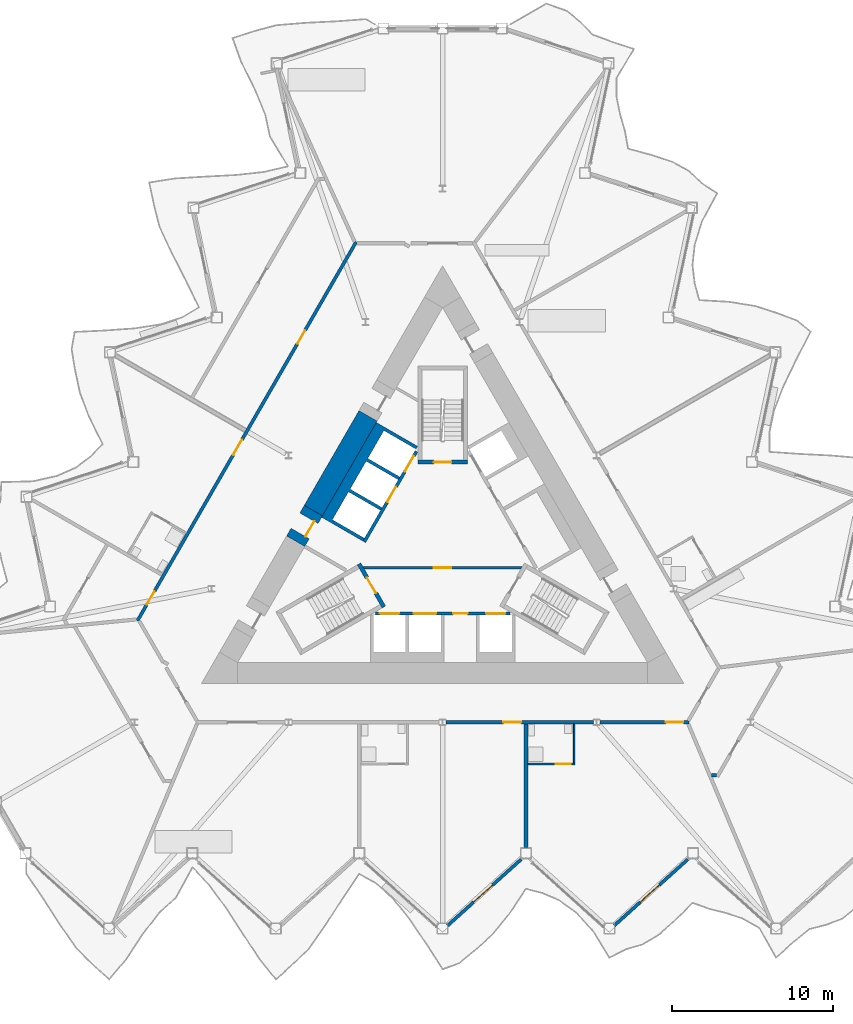
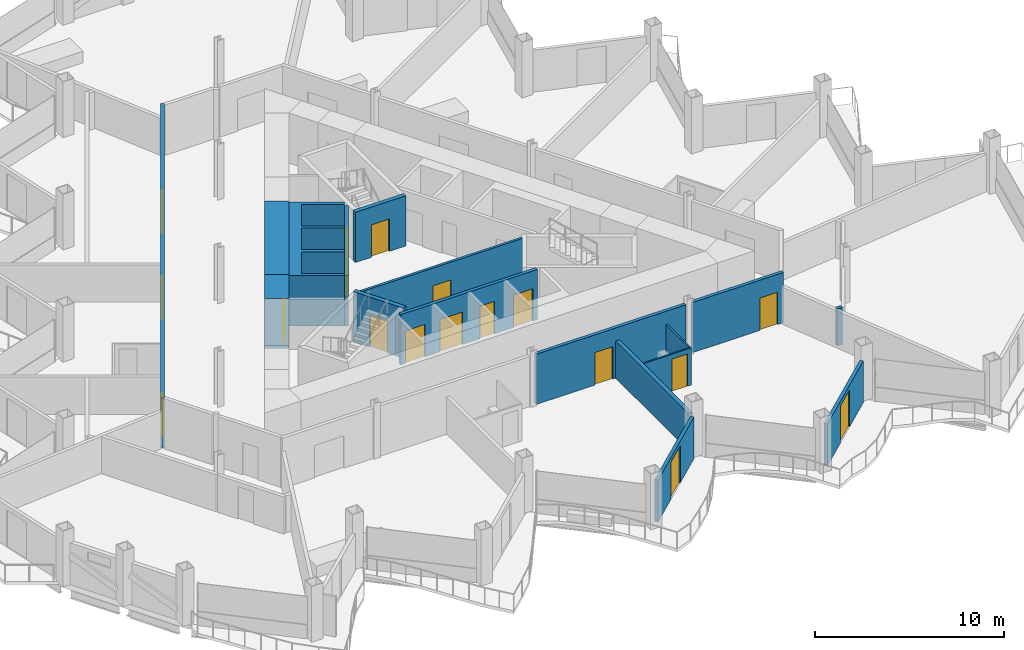
# One storey, part 12 of 23: 18 doors, 17 walls, 18 openings.
"""IFC4 building model written with IfcOpenShell, lengths in metres."""

from ifc_helpers import new_model, si_unit, direction, frame, frame_2d, origin, place, context, subcontext, project, spatial, polyline, rectangle, outline, extrude, material, layer, layer_set, type_object, element, fill, save


model = new_model("IFC4")

# Units and contexts
model_context = context("Model", 3, precision=1e-05, world=origin(), true_north=direction((0.0, 1.0)))
body_context = subcontext(model_context, "Body", "Model", "MODEL_VIEW")
ifc_project = project(units=[si_unit("LENGTHUNIT", "METRE"), si_unit("AREAUNIT", "SQUARE_METRE"), si_unit("VOLUMEUNIT", "CUBIC_METRE"), si_unit("PLANEANGLEUNIT", "RADIAN"), si_unit("MASSUNIT", "GRAM", prefix="KILO")], contexts=[model_context])

# Site, building, storey
site_placement = place(None, origin())
site = spatial("IfcSite", under=ifc_project, at=site_placement, CompositionType="ELEMENT")
building_placement = place(site_placement, origin())
building = spatial("IfcBuilding", under=site, at=building_placement, Name="Cormorant Prow Tower", CompositionType="ELEMENT")
storey_placement = place(building_placement, frame((0.0, 0.0, 267.0)))
storey = spatial("IfcBuildingStorey", under=building, at=storey_placement, Name="L60", CompositionType="ELEMENT", Elevation=267.0)

# Wall, opening, door
ifc_material_1 = material(Name="Gypsum board partition")
ifc_layer_1 = layer(ifc_material_1, 0.14990234375)
ifc_layer_set_1 = layer_set([ifc_layer_1], Name="Gypsum board partition")
wall_type_1 = type_object("IfcWallType", Name="Core partition 150", PredefinedType="PARTITIONING", material=ifc_layer_set_1)
wall_1_placement = place(storey_placement, frame((-4.941162109375, -1.449951171875, 0.0), z_axis=(0.0, 0.0, 1.0), x_axis=(1.0, 0.0, 0.0)))
wall_1 = element("IfcWall", 1, at=wall_1_placement, inside=storey, type_object=wall_type_1, Name="Firefighting lobby partition", PredefinedType="PARTITIONING", context=body_context, shape_type="SweptSolid", body=[
    extrude(rectangle(XDim=9.88232421875, YDim=0.14990234375, at=frame_2d((4.941162109375, 0.0))), origin(), (0.0, 0.0, 1.0), 3.25),
])
opening_1_placement = place(wall_1_placement, frame((4.39111328125, 0.0, 0.0)))
opening_1 = element("IfcOpeningElement", 2, at=opening_1_placement, cuts=wall_1, Name="Opening L60-C10", PredefinedType="OPENING", context=body_context, shape_type="SweptSolid", body=[
    extrude(rectangle(XDim=1.10009765625, YDim=2.10009765625, at=frame_2d((0.550048828125, 1.050048828125))), frame((0.0, 0.0849609375, 0.0), z_axis=(0.0, -1.0, 0.0), x_axis=(1.0, 0.0, 0.0)), (0.0, 0.0, 1.0), 0.169921875),
])
ifc_material_2 = material(Name="Painted steel", Category="steel")
door_type_1 = type_object("IfcDoorType", Name="Firefighting lobby door 1100x2100", OperationType="NOTDEFINED", PredefinedType="DOOR", material=ifc_material_2)
door_1_placement = place(opening_1_placement, origin())
door_1 = element("IfcDoor", 3, at=door_1_placement, inside=storey, type_object=door_type_1, Name="Firefighting lobby door", OperationType="SINGLE_SWING_LEFT", OverallHeight=2.10009765625, OverallWidth=1.10009765625, PredefinedType="DOOR", context=body_context, shape_type="SweptSolid", body=[
    extrude(rectangle(XDim=1.10009765625, YDim=2.10009765625, at=frame_2d((0.550048828125, 1.050048828125))), frame((0.0, 0.02490234375, 0.0), z_axis=(0.0, -1.0, 0.0), x_axis=(1.0, 0.0, 0.0)), (0.0, 0.0, 1.0), 0.050048828125),
])
fill(opening_1, door_1)

# Wall
ifc_material_3 = material(Name="Concrete 8000 psi", Category="concrete")
ifc_layer_2 = layer(ifc_material_3, 1.300048828125)
ifc_layer_set_2 = layer_set([ifc_layer_2], Name="Concrete 8000 psi")
wall_type_2 = type_object("IfcWallType", Name="Core shear wall 1300", PredefinedType="SHEAR", material=ifc_layer_set_2)
wall_2_placement = place(storey_placement, frame((-4.63623046875, 7.989990234375, 0.0), z_axis=(0.0, 0.0, 1.0), x_axis=(-0.500022813292, -0.866012232124, 0.0)))
element("IfcWall", 4, at=wall_2_placement, inside=storey, type_object=wall_type_2, Name="Core wall", PredefinedType="SHEAR", context=body_context, shape_type="SweptSolid", body=[
    extrude(rectangle(XDim=6.801513671875, YDim=1.300048828125, at=frame_2d((3.40087890625, 0.0))), origin(), (0.0, 0.0, 1.0), 3.25),
])

# Wall, opening, door
wall_3_placement = place(storey_placement, frame((-8.037109375, 2.099853515625, 0.0), z_axis=(0.0, 0.0, 1.0), x_axis=(-0.50002983664, -0.866008176907, 0.0)))
wall_3 = element("IfcWall", 5, at=wall_3_placement, inside=storey, type_object=wall_type_2, Name="Core wall door panel", PredefinedType="SHEAR", context=body_context, shape_type="SweptSolid", body=[
    extrude(rectangle(XDim=2.199951171875, YDim=1.300048828125, at=frame_2d((1.10009765625, 0.0))), origin(), (0.0, 0.0, 1.0), 3.25),
])
opening_2_placement = place(wall_3_placement, frame((0.550048828125, 0.0, 0.0)))
opening_2 = element("IfcOpeningElement", 6, at=opening_2_placement, cuts=wall_3, Name="Opening L60-C18", PredefinedType="OPENING", context=body_context, shape_type="SweptSolid", body=[
    extrude(rectangle(XDim=1.10009765625, YDim=2.10009765625, at=frame_2d((0.550048828125, 1.050048828125))), frame((0.0, 0.659912109375, 0.0), z_axis=(0.0, -1.0, 0.0), x_axis=(1.0, 0.0, 0.0)), (0.0, 0.0, 1.0), 1.320068359375),
])
ifc_material_4 = material(Name="Painted steel", Category="steel")
door_type_2 = type_object("IfcDoorType", Name="Core door 1100x2100", OperationType="NOTDEFINED", PredefinedType="DOOR", material=ifc_material_4)
door_2_placement = place(opening_2_placement, origin())
door_2 = element("IfcDoor", 7, at=door_2_placement, inside=storey, type_object=door_type_2, Name="Core door, lift lobby", OperationType="SINGLE_SWING_RIGHT", OverallHeight=2.10009765625, OverallWidth=1.10009765625, PredefinedType="DOOR", context=body_context, shape_type="SweptSolid", body=[
    extrude(rectangle(XDim=1.10009765625, YDim=2.10009765625, at=frame_2d((0.550048828125, 1.050048828125))), frame((0.0, 0.40478515625, 0.0), z_axis=(0.0, -1.0, 0.0), x_axis=(1.0, 0.0, 0.0)), (0.0, 0.0, 1.0), 0.050048828125),
])
fill(opening_2, door_2)

# Wall, openings, doors
ifc_material_5 = material(Name="Gypsum board corridor wall")
ifc_layer_3 = layer(ifc_material_5, 0.199951171875)
ifc_layer_set_3 = layer_set([ifc_layer_3], Name="Gypsum board corridor wall")
wall_type_3 = type_object("IfcWallType", Name="Corridor wall 200", PredefinedType="PARTITIONING", material=ifc_layer_set_3)
wall_4_placement = place(storey_placement, frame((-18.97607421875, -4.746826171875, 0.0), z_axis=(0.0, 0.0, 1.0), x_axis=(0.499999852422, 0.866025488988, 0.0)))
wall_4 = element("IfcWall", 8, at=wall_4_placement, inside=storey, type_object=wall_type_3, Name="Corridor wall", PredefinedType="PARTITIONING", context=body_context, shape_type="SweptSolid", body=[
    extrude(rectangle(XDim=27.19775390625, YDim=0.199951171875, at=frame_2d((13.598876953125, 0.0))), origin(), (0.0, 0.0, 1.0), 3.25),
])
opening_3_placement = place(wall_4_placement, frame((19.886474609375, 0.0, 0.0)))
opening_3 = element("IfcOpeningElement", 9, at=opening_3_placement, cuts=wall_4, Name="Opening L60-F14", PredefinedType="OPENING", context=body_context, shape_type="SweptSolid", body=[
    extrude(rectangle(XDim=0.949951171875, YDim=2.10009765625, at=frame_2d((0.47509765625, 1.050048828125))), frame((0.0, 0.10986328125, 0.0), z_axis=(0.0, -1.0, 0.0), x_axis=(1.0, 0.0, 0.0)), (0.0, 0.0, 1.0), 0.219970703125),
])
opening_4_placement = place(wall_4_placement, frame((11.89453125, 0.0, 0.0)))
opening_4 = element("IfcOpeningElement", 10, at=opening_4_placement, cuts=wall_4, Name="Opening L60-F16", PredefinedType="OPENING", context=body_context, shape_type="SweptSolid", body=[
    extrude(rectangle(XDim=1.10009765625, YDim=2.10009765625, at=frame_2d((0.550048828125, 1.050048828125))), frame((0.0, 0.10986328125, 0.0), z_axis=(0.0, -1.0, 0.0), x_axis=(1.0, 0.0, 0.0)), (0.0, 0.0, 1.0), 0.219970703125),
])
opening_5_placement = place(wall_4_placement, frame((1.151611328125, 0.0, 0.0)))
opening_5 = element("IfcOpeningElement", 11, at=opening_5_placement, cuts=wall_4, Name="Opening L60-F18", PredefinedType="OPENING", context=body_context, shape_type="SweptSolid", body=[
    extrude(rectangle(XDim=0.949951171875, YDim=2.10009765625, at=frame_2d((0.47509765625, 1.050048828125))), frame((0.0, 0.10986328125, 0.0), z_axis=(0.0, -1.0, 0.0), x_axis=(1.0, 0.0, 0.0)), (0.0, 0.0, 1.0), 0.219970703125),
])
ifc_material_6 = material(Name="Timber door leaf", Category="wood")
door_type_3 = type_object("IfcDoorType", Name="Store door 950x2100", OperationType="NOTDEFINED", PredefinedType="DOOR", material=ifc_material_6)
door_3_placement = place(opening_3_placement, origin())
door_3 = element("IfcDoor", 12, at=door_3_placement, inside=storey, type_object=door_type_3, Name="Housekeeping room door", OperationType="SINGLE_SWING_LEFT", OverallHeight=2.10009765625, OverallWidth=0.949951171875, PredefinedType="DOOR", context=body_context, shape_type="SweptSolid", body=[
    extrude(rectangle(XDim=0.949951171875, YDim=2.10009765625, at=frame_2d((0.47509765625, 1.050048828125))), frame((0.0, 0.02490234375, 0.0), z_axis=(0.0, -1.0, 0.0), x_axis=(1.0, 0.0, 0.0)), (0.0, 0.0, 1.0), 0.050048828125),
])
fill(opening_3, door_3)
door_4_placement = place(opening_5_placement, origin())
door_4 = element("IfcDoor", 13, at=door_4_placement, inside=storey, type_object=door_type_3, Name="Housekeeping room door", OperationType="SINGLE_SWING_RIGHT", OverallHeight=2.10009765625, OverallWidth=0.949951171875, PredefinedType="DOOR", context=body_context, shape_type="SweptSolid", body=[
    extrude(rectangle(XDim=0.949951171875, YDim=2.10009765625, at=frame_2d((0.47509765625, 1.050048828125))), frame((0.0, 0.02490234375, 0.0), z_axis=(0.0, -1.0, 0.0), x_axis=(1.0, 0.0, 0.0)), (0.0, 0.0, 1.0), 0.050048828125),
])
fill(opening_5, door_4)
ifc_material_7 = material(Name="Timber door leaf", Category="wood")
door_type_4 = type_object("IfcDoorType", Name="Suite entrance door 1100x2100", OperationType="NOTDEFINED", PredefinedType="DOOR", material=ifc_material_7)
door_5_placement = place(opening_4_placement, origin())
door_5 = element("IfcDoor", 14, at=door_5_placement, inside=storey, type_object=door_type_4, Name="Junior suite door", OperationType="SINGLE_SWING_RIGHT", OverallHeight=2.10009765625, OverallWidth=1.10009765625, PredefinedType="DOOR", context=body_context, shape_type="SweptSolid", body=[
    extrude(rectangle(XDim=1.10009765625, YDim=2.10009765625, at=frame_2d((0.550048828125, 1.050048828125))), frame((0.0, 0.02490234375, 0.0), z_axis=(0.0, -1.0, 0.0), x_axis=(1.0, 0.0, 0.0)), (0.0, 0.0, 1.0), 0.050048828125),
])
fill(opening_4, door_5)

# Wall, opening, door
wall_5_placement = place(storey_placement, frame((0.20947265625, -11.060302734375, 0.0), z_axis=(0.0, 0.0, 1.0), x_axis=(1.0, 0.0, 0.0)))
wall_5 = element("IfcWall", 15, at=wall_5_placement, inside=storey, type_object=wall_type_3, Name="Corridor wall", PredefinedType="PARTITIONING", context=body_context, shape_type="SweptSolid", body=[
    extrude(rectangle(XDim=9.159423828125, YDim=0.199951171875, at=frame_2d((4.57958984375, 0.0))), origin(), (0.0, 0.0, 1.0), 3.25),
])
opening_6_placement = place(wall_5_placement, frame((3.576171875, 0.0, 0.0)))
opening_6 = element("IfcOpeningElement", 16, at=opening_6_placement, cuts=wall_5, Name="Opening L60-F02", PredefinedType="OPENING", context=body_context, shape_type="SweptSolid", body=[
    extrude(rectangle(XDim=1.10009765625, YDim=2.10009765625, at=frame_2d((0.550048828125, 1.050048828125))), frame((0.0, 0.10986328125, 0.0), z_axis=(0.0, -1.0, 0.0), x_axis=(1.0, 0.0, 0.0)), (0.0, 0.0, 1.0), 0.219970703125),
])
door_6_placement = place(opening_6_placement, origin())
door_6 = element("IfcDoor", 17, at=door_6_placement, inside=storey, type_object=door_type_4, Name="Junior suite door", OperationType="SINGLE_SWING_RIGHT", OverallHeight=2.10009765625, OverallWidth=1.10009765625, PredefinedType="DOOR", context=body_context, shape_type="SweptSolid", body=[
    extrude(rectangle(XDim=1.10009765625, YDim=2.10009765625, at=frame_2d((0.550048828125, 1.050048828125))), frame((0.0, 0.02490234375, 0.0), z_axis=(0.0, -1.0, 0.0), x_axis=(1.0, 0.0, 0.0)), (0.0, 0.0, 1.0), 0.050048828125),
])
fill(opening_6, door_6)

wall_6_placement = place(storey_placement, frame((9.7880859375, -11.060302734375, 0.0), z_axis=(0.0, 0.0, 1.0), x_axis=(1.0, 0.0, 0.0)))
wall_6 = element("IfcWall", 18, at=wall_6_placement, inside=storey, type_object=wall_type_3, Name="Corridor wall", PredefinedType="PARTITIONING", context=body_context, shape_type="SweptSolid", body=[
    extrude(rectangle(XDim=5.542724609375, YDim=0.199951171875, at=frame_2d((2.771484375, 0.0))), origin(), (0.0, 0.0, 1.0), 3.25),
])
opening_7_placement = place(wall_6_placement, frame((4.091796875, 0.0, 0.0)))
opening_7 = element("IfcOpeningElement", 19, at=opening_7_placement, cuts=wall_6, Name="Opening L60-F04", PredefinedType="OPENING", context=body_context, shape_type="SweptSolid", body=[
    extrude(rectangle(XDim=1.10009765625, YDim=2.10009765625, at=frame_2d((0.550048828125, 1.050048828125))), frame((0.0, 0.10986328125, 0.0), z_axis=(0.0, -1.0, 0.0), x_axis=(1.0, 0.0, 0.0)), (0.0, 0.0, 1.0), 0.219970703125),
])
door_7_placement = place(opening_7_placement, origin())
door_7 = element("IfcDoor", 20, at=door_7_placement, inside=storey, type_object=door_type_4, Name="Executive suite bedroom door", OperationType="SINGLE_SWING_RIGHT", OverallHeight=2.10009765625, OverallWidth=1.10009765625, PredefinedType="DOOR", context=body_context, shape_type="SweptSolid", body=[
    extrude(rectangle(XDim=1.10009765625, YDim=2.10009765625, at=frame_2d((0.550048828125, 1.050048828125))), frame((0.0, 0.02490234375, 0.0), z_axis=(0.0, -1.0, 0.0), x_axis=(1.0, 0.0, 0.0)), (0.0, 0.0, 1.0), 0.050048828125),
])
fill(opening_7, door_7)

# Wall
ifc_material_8 = material(Name="Gypsum board demising wall")
ifc_layer_4 = layer(ifc_material_8, 0.199951171875)
ifc_layer_set_4 = layer_set([ifc_layer_4], Name="Gypsum board demising wall")
wall_type_4 = type_object("IfcWallType", Name="Demising wall 200", PredefinedType="PARTITIONING", material=ifc_layer_set_4)
wall_7_placement = place(storey_placement, frame((16.715087890625, -14.3603515625, 0.0), z_axis=(0.0, 0.0, 1.0), x_axis=(1.0, 0.0, 0.0)))
element("IfcWall", 21, at=wall_7_placement, inside=storey, type_object=wall_type_4, Name="Demising wall", PredefinedType="PARTITIONING", context=body_context, shape_type="SweptSolid", body=[
    extrude(rectangle(XDim=0.321044921875, YDim=0.199951171875, at=frame_2d((0.16064453125, 0.0))), origin(), (0.0, 0.0, 1.0), 2.404296875),
])

# Wall, opening, door
ifc_material_9 = material(Name="Gypsum board partition")
ifc_layer_5 = layer(ifc_material_9, 0.10009765625)
ifc_layer_set_5 = layer_set([ifc_layer_5], Name="Gypsum board partition")
wall_type_5 = type_object("IfcWallType", Name="Internal partition 100", PredefinedType="PARTITIONING", material=ifc_layer_set_5)
wall_8_placement = place(storey_placement, frame((5.3076171875, -13.660400390625, 0.0), z_axis=(0.0, 0.0, 1.0), x_axis=(1.0, 0.0, 0.0)))
wall_8 = element("IfcWall", 22, at=wall_8_placement, inside=storey, type_object=wall_type_5, Name="Internal partition", PredefinedType="PARTITIONING", context=body_context, shape_type="SweptSolid", body=[
    extrude(rectangle(XDim=2.925048828125, YDim=0.10009765625, at=frame_2d((1.46240234375, 0.0))), origin(), (0.0, 0.0, 1.0), 2.404296875),
])
opening_8_placement = place(wall_8_placement, frame((1.72509765625, 0.0, 0.0)))
opening_8 = element("IfcOpeningElement", 23, at=opening_8_placement, cuts=wall_8, Name="Opening L60-F05", PredefinedType="OPENING", context=body_context, shape_type="SweptSolid", body=[
    extrude(rectangle(XDim=0.949951171875, YDim=2.10009765625, at=frame_2d((0.47509765625, 1.050048828125))), frame((0.0, 0.06005859375, 0.0), z_axis=(0.0, -1.0, 0.0), x_axis=(1.0, 0.0, 0.0)), (0.0, 0.0, 1.0), 0.1201171875),
])
ifc_material_10 = material(Name="Timber door leaf", Category="wood")
door_type_5 = type_object("IfcDoorType", Name="Bathroom door 950x2100", OperationType="NOTDEFINED", PredefinedType="DOOR", material=ifc_material_10)
door_8_placement = place(opening_8_placement, origin())
door_8 = element("IfcDoor", 24, at=door_8_placement, inside=storey, type_object=door_type_5, Name="Executive suite bedroom door", OperationType="SINGLE_SWING_RIGHT", OverallHeight=2.10009765625, OverallWidth=0.949951171875, PredefinedType="DOOR", context=body_context, shape_type="SweptSolid", body=[
    extrude(rectangle(XDim=0.949951171875, YDim=2.10009765625, at=frame_2d((0.47509765625, 1.050048828125))), frame((0.0, 0.02490234375, 0.0), z_axis=(0.0, -1.0, 0.0), x_axis=(1.0, 0.0, 0.0)), (0.0, 0.0, 1.0), 0.050048828125),
])
fill(opening_8, door_8)

# Wall
wall_9_placement = place(storey_placement, frame((8.1826171875, -13.6103515625, 0.0), z_axis=(0.0, 0.0, 1.0), x_axis=(0.0, 1.0, 0.0)))
element("IfcWall", 25, at=wall_9_placement, inside=storey, type_object=wall_type_5, Name="Internal partition", PredefinedType="PARTITIONING", context=body_context, shape_type="SweptSolid", body=[
    extrude(rectangle(XDim=2.449951171875, YDim=0.10009765625, at=frame_2d((1.22509765625, 0.0))), origin(), (0.0, 0.0, 1.0), 2.404296875),
])

# Wall, openings, doors
ifc_material_11 = material(Name="Concrete 5000 psi", Category="concrete")
ifc_layer_6 = layer(ifc_material_11, 0.199951171875)
ifc_layer_set_6 = layer_set([ifc_layer_6], Name="Concrete 5000 psi")
wall_type_6 = type_object("IfcWallType", Name="Lift lobby wall 200", PredefinedType="SOLIDWALL", material=ifc_layer_set_6)
wall_10_placement = place(storey_placement, frame((-4.1865234375, -4.300048828125, 0.0), z_axis=(0.0, 0.0, 1.0), x_axis=(1.0, 0.0, 0.0)))
wall_10 = element("IfcWall", 26, at=wall_10_placement, inside=storey, type_object=wall_type_6, Name="Lift lobby wall, S block", PredefinedType="SOLIDWALL", context=body_context, shape_type="SweptSolid", body=[
    extrude(rectangle(XDim=8.373046875, YDim=0.199951171875, at=frame_2d((4.1865234375, 0.0))), origin(), (0.0, 0.0, 1.0), 3.25),
])
opening_9_placement = place(wall_10_placement, frame((0.28662109375, 0.0, 0.0)))
opening_9 = element("IfcOpeningElement", 27, at=opening_9_placement, cuts=wall_10, Name="Opening L60-C01", PredefinedType="OPENING", context=body_context, shape_type="SweptSolid", body=[
    extrude(rectangle(XDim=1.199951171875, YDim=2.10009765625, at=frame_2d((0.60009765625, 1.050048828125))), frame((0.0, 0.10986328125, 0.0), z_axis=(0.0, -1.0, 0.0), x_axis=(1.0, 0.0, 0.0)), (0.0, 0.0, 1.0), 0.219970703125),
])
opening_10_placement = place(wall_10_placement, frame((2.38671875, 0.0, 0.0)))
opening_10 = element("IfcOpeningElement", 28, at=opening_10_placement, cuts=wall_10, Name="Opening L60-C02", PredefinedType="OPENING", context=body_context, shape_type="SweptSolid", body=[
    extrude(rectangle(XDim=1.39990234375, YDim=2.10009765625, at=frame_2d((0.699951171875, 1.050048828125))), frame((0.0, 0.10986328125, 0.0), z_axis=(0.0, -1.0, 0.0), x_axis=(1.0, 0.0, 0.0)), (0.0, 0.0, 1.0), 0.219970703125),
])
opening_11_placement = place(wall_10_placement, frame((4.836669921875, 0.0, 0.0)))
opening_11 = element("IfcOpeningElement", 29, at=opening_11_placement, cuts=wall_10, Name="Opening L60-C03", PredefinedType="OPENING", context=body_context, shape_type="SweptSolid", body=[
    extrude(rectangle(XDim=0.89990234375, YDim=2.10009765625, at=frame_2d((0.449951171875, 1.050048828125))), frame((0.0, 0.10986328125, 0.0), z_axis=(0.0, -1.0, 0.0), x_axis=(1.0, 0.0, 0.0)), (0.0, 0.0, 1.0), 0.219970703125),
])
opening_12_placement = place(wall_10_placement, frame((6.88671875, 0.0, 0.0)))
opening_12 = element("IfcOpeningElement", 30, at=opening_12_placement, cuts=wall_10, Name="Opening L60-C04", PredefinedType="OPENING", context=body_context, shape_type="SweptSolid", body=[
    extrude(rectangle(XDim=1.199951171875, YDim=2.10009765625, at=frame_2d((0.60009765625, 1.050048828125))), frame((0.0, 0.10986328125, 0.0), z_axis=(0.0, -1.0, 0.0), x_axis=(1.0, 0.0, 0.0)), (0.0, 0.0, 1.0), 0.219970703125),
])
ifc_material_12 = material(Name="Painted steel", Category="steel")
door_type_6 = type_object("IfcDoorType", Name="Firefighting lift landing door 1200x2100", OperationType="SLIDING_TO_LEFT", PredefinedType="DOOR", material=ifc_material_12)
door_9_placement = place(opening_9_placement, origin())
door_9 = element("IfcDoor", 31, at=door_9_placement, inside=storey, type_object=door_type_6, Name="Landing door FL1", OperationType="SLIDING_TO_LEFT", OverallHeight=2.10009765625, OverallWidth=1.199951171875, PredefinedType="DOOR", context=body_context, shape_type="SweptSolid", body=[
    extrude(rectangle(XDim=1.199951171875, YDim=2.10009765625, at=frame_2d((0.60009765625, 1.050048828125))), frame((0.0, 0.02490234375, 0.0), z_axis=(0.0, -1.0, 0.0), x_axis=(1.0, 0.0, 0.0)), (0.0, 0.0, 1.0), 0.050048828125),
])
fill(opening_9, door_9)
door_10_placement = place(opening_12_placement, origin())
door_10 = element("IfcDoor", 32, at=door_10_placement, inside=storey, type_object=door_type_6, Name="Landing door FL2", OperationType="SLIDING_TO_LEFT", OverallHeight=2.10009765625, OverallWidth=1.199951171875, PredefinedType="DOOR", context=body_context, shape_type="SweptSolid", body=[
    extrude(rectangle(XDim=1.199951171875, YDim=2.10009765625, at=frame_2d((0.60009765625, 1.050048828125))), frame((0.0, 0.02490234375, 0.0), z_axis=(0.0, -1.0, 0.0), x_axis=(1.0, 0.0, 0.0)), (0.0, 0.0, 1.0), 0.050048828125),
])
fill(opening_12, door_10)
ifc_material_13 = material(Name="Painted steel", Category="steel")
door_type_7 = type_object("IfcDoorType", Name="Service door 900x2100", OperationType="NOTDEFINED", PredefinedType="DOOR", material=ifc_material_13)
door_11_placement = place(opening_11_placement, origin())
door_11 = element("IfcDoor", 33, at=door_11_placement, inside=storey, type_object=door_type_7, Name="Service door, Pantry store", OperationType="SINGLE_SWING_RIGHT", OverallHeight=2.10009765625, OverallWidth=0.89990234375, PredefinedType="DOOR", context=body_context, shape_type="SweptSolid", body=[
    extrude(rectangle(XDim=0.89990234375, YDim=2.10009765625, at=frame_2d((0.449951171875, 1.050048828125))), frame((0.0, 0.02490234375, 0.0), z_axis=(0.0, -1.0, 0.0), x_axis=(1.0, 0.0, 0.0)), (0.0, 0.0, 1.0), 0.050048828125),
])
fill(opening_11, door_11)
ifc_material_14 = material(Name="Painted steel", Category="steel")
door_type_8 = type_object("IfcDoorType", Name="Service lift landing door 1400x2100", OperationType="SLIDING_TO_LEFT", PredefinedType="DOOR", material=ifc_material_14)
door_12_placement = place(opening_10_placement, origin())
door_12 = element("IfcDoor", 34, at=door_12_placement, inside=storey, type_object=door_type_8, Name="Landing door SL1", OperationType="SLIDING_TO_LEFT", OverallHeight=2.10009765625, OverallWidth=1.39990234375, PredefinedType="DOOR", context=body_context, shape_type="SweptSolid", body=[
    extrude(rectangle(XDim=1.39990234375, YDim=2.10009765625, at=frame_2d((0.699951171875, 1.050048828125))), frame((0.0, 0.02490234375, 0.0), z_axis=(0.0, -1.0, 0.0), x_axis=(1.0, 0.0, 0.0)), (0.0, 0.0, 1.0), 0.050048828125),
])
fill(opening_10, door_12)

wall_11_placement = place(storey_placement, frame((-1.630615234375, 5.775634765625, 0.0), z_axis=(0.0, 0.0, 1.0), x_axis=(-0.499992876559, -0.866029516466, 0.0)))
wall_11 = element("IfcWall", 35, at=wall_11_placement, inside=storey, type_object=wall_type_6, Name="Lift lobby wall, WNW block", PredefinedType="SOLIDWALL", context=body_context, shape_type="SweptSolid", body=[
    extrude(rectangle(XDim=6.486328125, YDim=0.199951171875, at=frame_2d((3.2431640625, 0.0))), origin(), (0.0, 0.0, 1.0), 3.25),
])
opening_13_placement = place(wall_11_placement, frame((0.336669921875, 0.0, 0.0)))
opening_13 = element("IfcOpeningElement", 36, at=opening_13_placement, cuts=wall_11, Name="Opening L60-C08", PredefinedType="OPENING", context=body_context, shape_type="SweptSolid", body=[
    extrude(rectangle(XDim=1.10009765625, YDim=2.10009765625, at=frame_2d((0.550048828125, 1.050048828125))), frame((0.0, 0.10986328125, 0.0), z_axis=(0.0, -1.0, 0.0), x_axis=(1.0, 0.0, 0.0)), (0.0, 0.0, 1.0), 0.219970703125),
])
opening_14_placement = place(wall_11_placement, frame((2.53662109375, 0.0, 0.0)))
opening_14 = element("IfcOpeningElement", 37, at=opening_14_placement, cuts=wall_11, Name="Opening L60-C09", PredefinedType="OPENING", context=body_context, shape_type="SweptSolid", body=[
    extrude(rectangle(XDim=1.10009765625, YDim=2.10009765625, at=frame_2d((0.550048828125, 1.050048828125))), frame((0.0, 0.10986328125, 0.0), z_axis=(0.0, -1.0, 0.0), x_axis=(1.0, 0.0, 0.0)), (0.0, 0.0, 1.0), 0.219970703125),
])
ifc_material_15 = material(Name="Painted steel", Category="steel")
door_type_9 = type_object("IfcDoorType", Name="Lift landing door 1100x2100", OperationType="SLIDING_TO_LEFT", PredefinedType="DOOR", material=ifc_material_15)
door_13_placement = place(opening_13_placement, origin())
door_13 = element("IfcDoor", 38, at=door_13_placement, inside=storey, type_object=door_type_9, Name="Landing door MR2", OperationType="SLIDING_TO_LEFT", OverallHeight=2.10009765625, OverallWidth=1.10009765625, PredefinedType="DOOR", context=body_context, shape_type="SweptSolid", body=[
    extrude(rectangle(XDim=1.10009765625, YDim=2.10009765625, at=frame_2d((0.550048828125, 1.050048828125))), frame((0.0, 0.02490234375, 0.0), z_axis=(0.0, -1.0, 0.0), x_axis=(1.0, 0.0, 0.0)), (0.0, 0.0, 1.0), 0.050048828125),
])
fill(opening_13, door_13)
door_14_placement = place(opening_14_placement, origin())
door_14 = element("IfcDoor", 39, at=door_14_placement, inside=storey, type_object=door_type_9, Name="Landing door MR3", OperationType="SLIDING_TO_LEFT", OverallHeight=2.10009765625, OverallWidth=1.10009765625, PredefinedType="DOOR", context=body_context, shape_type="SweptSolid", body=[
    extrude(rectangle(XDim=1.10009765625, YDim=2.10009765625, at=frame_2d((0.550048828125, 1.050048828125))), frame((0.0, 0.02490234375, 0.0), z_axis=(0.0, -1.0, 0.0), x_axis=(1.0, 0.0, 0.0)), (0.0, 0.0, 1.0), 0.050048828125),
])
fill(opening_14, door_14)

# Wall
ifc_material_16 = material(Name="Concrete 8000 psi", Category="concrete")
ifc_layer_7 = layer(ifc_material_16, 0.199951171875)
ifc_layer_set_7 = layer_set([ifc_layer_7], Name="Concrete 8000 psi")
wall_type_7 = type_object("IfcWallType", Name="Lift shaft wall 200", PredefinedType="SHEAR", material=ifc_layer_set_7)
wall_12_placement = place(storey_placement, origin())
element("IfcWall", 40, at=wall_12_placement, inside=storey, type_object=wall_type_7, Name="Lift shaft walls, WNW block", PredefinedType="SHEAR", context=body_context, shape_type="SweptSolid", body=[
    extrude(outline(polyline([(-7.524169921875, 1.688232421875), (-4.124267578125, 7.5771484375), (-3.730712890625, 7.35009765625), (-1.560546875, 6.09716796875), (-1.660400390625, 5.923828125), (-3.65234375, 7.073974609375), (-4.65234375, 5.341796875), (-2.660400390625, 4.19189453125), (-2.760498046875, 4.018798828125), (-4.75244140625, 5.168701171875), (-5.75244140625, 3.4365234375), (-3.760498046875, 2.28662109375), (-3.860595703125, 2.11328125), (-5.852294921875, 3.263427734375), (-6.852294921875, 1.53125), (-4.860595703125, 0.38134765625), (-4.96044921875, 0.2080078125), (-7.130859375, 1.461181640625), (-7.524169921875, 1.688232421875)])), origin(), (0.0, 0.0, 1.0), 3.25),
])

# Wall, opening, door
ifc_material_17 = material(Name="Concrete 8000 psi", Category="concrete")
ifc_layer_8 = layer(ifc_material_17, 0.25)
ifc_layer_set_8 = layer_set([ifc_layer_8], Name="Concrete 8000 psi")
wall_type_8 = type_object("IfcWallType", Name="Stair wall 250", PredefinedType="SHEAR", material=ifc_layer_set_8)
wall_13_placement = place(storey_placement, frame((-5.198974609375, -1.21875, 0.0), z_axis=(0.0, 0.0, 1.0), x_axis=(0.499982516597, -0.866035497597, 0.0)))
wall_13 = element("IfcWall", 41, at=wall_13_placement, inside=storey, type_object=wall_type_8, Name="Stair ST1 door wall", PredefinedType="SHEAR", context=body_context, shape_type="SweptSolid", body=[
    extrude(rectangle(XDim=3.087890625, YDim=0.25, at=frame_2d((1.5439453125, 0.0))), origin(), (0.0, 0.0, 1.0), 3.25),
])
opening_15_placement = place(wall_13_placement, frame((0.993896484375, 0.0, 0.0)))
opening_15 = element("IfcOpeningElement", 42, at=opening_15_placement, cuts=wall_13, Name="Opening L60-C11", PredefinedType="OPENING", context=body_context, shape_type="SweptSolid", body=[
    extrude(rectangle(XDim=1.10009765625, YDim=2.10009765625, at=frame_2d((0.550048828125, 1.050048828125))), frame((0.0, 0.135009765625, 0.0), z_axis=(0.0, -1.0, 0.0), x_axis=(1.0, 0.0, 0.0)), (0.0, 0.0, 1.0), 0.27001953125),
])
ifc_material_18 = material(Name="Painted steel", Category="steel")
door_type_10 = type_object("IfcDoorType", Name="Stair door 1100x2100", OperationType="NOTDEFINED", PredefinedType="DOOR", material=ifc_material_18)
door_15_placement = place(opening_15_placement, origin())
door_15 = element("IfcDoor", 43, at=door_15_placement, inside=storey, type_object=door_type_10, Name="Stair ST1 door", OperationType="SINGLE_SWING_LEFT", OverallHeight=2.10009765625, OverallWidth=1.10009765625, PredefinedType="DOOR", context=body_context, shape_type="SweptSolid", body=[
    extrude(rectangle(XDim=1.10009765625, YDim=2.10009765625, at=frame_2d((0.550048828125, 1.050048828125))), frame((0.0, 0.02490234375, 0.0), z_axis=(0.0, -1.0, 0.0), x_axis=(1.0, 0.0, 0.0)), (0.0, 0.0, 1.0), 0.050048828125),
])
fill(opening_15, door_15)

wall_14_placement = place(storey_placement, frame((1.5439453125, 5.11181640625, 0.0), z_axis=(0.0, 0.0, 1.0), x_axis=(-1.0, 0.0, 0.0)))
wall_14 = element("IfcWall", 44, at=wall_14_placement, inside=storey, type_object=wall_type_8, Name="Stair ST3 door wall", PredefinedType="SHEAR", context=body_context, shape_type="SweptSolid", body=[
    extrude(rectangle(XDim=3.087890625, YDim=0.25, at=frame_2d((1.5439453125, 0.0))), origin(), (0.0, 0.0, 1.0), 3.25),
])
opening_16_placement = place(wall_14_placement, frame((0.993896484375, 0.0, 0.0)))
opening_16 = element("IfcOpeningElement", 45, at=opening_16_placement, cuts=wall_14, Name="Opening L60-C13", PredefinedType="OPENING", context=body_context, shape_type="SweptSolid", body=[
    extrude(rectangle(XDim=1.10009765625, YDim=2.10009765625, at=frame_2d((0.550048828125, 1.050048828125))), frame((0.0, 0.135009765625, 0.0), z_axis=(0.0, -1.0, 0.0), x_axis=(1.0, 0.0, 0.0)), (0.0, 0.0, 1.0), 0.27001953125),
])
door_16_placement = place(opening_16_placement, origin())
door_16 = element("IfcDoor", 46, at=door_16_placement, inside=storey, type_object=door_type_10, Name="Stair ST3 door", OperationType="SINGLE_SWING_LEFT", OverallHeight=2.10009765625, OverallWidth=1.10009765625, PredefinedType="DOOR", context=body_context, shape_type="SweptSolid", body=[
    extrude(rectangle(XDim=1.10009765625, YDim=2.10009765625, at=frame_2d((0.550048828125, 1.050048828125))), frame((0.0, 0.02490234375, 0.0), z_axis=(0.0, -1.0, 0.0), x_axis=(1.0, 0.0, 0.0)), (0.0, 0.0, 1.0), 0.050048828125),
])
fill(opening_16, door_16)

# Wall
ifc_material_19 = material(Name="Acoustic gypsum party wall")
ifc_layer_9 = layer(ifc_material_19, 0.25)
ifc_layer_set_9 = layer_set([ifc_layer_9], Name="Acoustic gypsum party wall")
wall_type_9 = type_object("IfcWallType", Name="Suite party wall 250", PredefinedType="PARTITIONING", material=ifc_layer_set_9)
wall_15_placement = place(storey_placement, frame((5.1826171875, -18.85546875, 0.0), z_axis=(0.0, 0.0, 1.0), x_axis=(0.0, 1.0, 0.0)))
element("IfcWall", 47, at=wall_15_placement, inside=storey, type_object=wall_type_9, Name="Suite party wall", PredefinedType="PARTITIONING", context=body_context, shape_type="SweptSolid", body=[
    extrude(rectangle(XDim=7.695068359375, YDim=0.25, at=frame_2d((3.84765625, 0.0))), origin(), (0.0, 0.0, 1.0), 2.404296875),
])

# Wall, opening, door
ifc_material_20 = material(Name="Terracotta", Category="masonry")
ifc_layer_10 = layer(ifc_material_20, 0.199951171875)
ifc_layer_set_10 = layer_set([ifc_layer_10], Name="Terracotta")
wall_type_10 = type_object("IfcWallType", Name="Terracotta jamb wall 200", PredefinedType="SOLIDWALL", material=ifc_layer_set_10)
wall_16_placement = place(storey_placement, frame((0.305419921875, -23.713134765625, 0.0), z_axis=(0.0, 0.0, 1.0), x_axis=(0.74316789204, 0.669104987458, 0.0)))
wall_16 = element("IfcWall", 48, at=wall_16_placement, inside=storey, type_object=wall_type_10, Name="Terracotta jamb wall S05", PredefinedType="SOLIDWALL", context=body_context, shape_type="SweptSolid", body=[
    extrude(rectangle(XDim=6.154296875, YDim=0.199951171875, at=frame_2d((3.0771484375, 0.0))), origin(), (0.0, 0.0, 1.0), 2.700927734375),
])
opening_17_placement = place(wall_16_placement, frame((2.18603515625, 0.0, 0.0)))
opening_17 = element("IfcOpeningElement", 49, at=opening_17_placement, cuts=wall_16, Name="Opening ED60.03", PredefinedType="OPENING", context=body_context, shape_type="SweptSolid", body=[
    extrude(rectangle(XDim=1.60009765625, YDim=2.39990234375, at=frame_2d((0.800048828125, 1.199951171875))), frame((0.0, 0.10986328125, 0.0), z_axis=(0.0, -1.0, 0.0), x_axis=(1.0, 0.0, 0.0)), (0.0, 0.0, 1.0), 0.219970703125),
])
ifc_material_21 = material(Name="Aluminium 6063-T6", Category="aluminium")
door_type_11 = type_object("IfcDoorType", Name="Balcony door 1600x2400", OperationType="DOUBLE_DOOR_SINGLE_SWING", PredefinedType="DOOR", material=ifc_material_21)
door_17_placement = place(opening_17_placement, origin())
door_17 = element("IfcDoor", 50, at=door_17_placement, inside=storey, type_object=door_type_11, Name="Balcony door S05 ED60.03", OperationType="DOUBLE_DOOR_SINGLE_SWING", OverallHeight=2.39990234375, OverallWidth=1.60009765625, PredefinedType="DOOR", context=body_context, shape_type="SweptSolid", body=[
    extrude(rectangle(XDim=1.60009765625, YDim=2.39990234375, at=frame_2d((0.800048828125, 1.199951171875))), frame((0.0, 0.02490234375, 0.0), z_axis=(0.0, -1.0, 0.0), x_axis=(1.0, 0.0, 0.0)), (0.0, 0.0, 1.0), 0.050048828125),
])
fill(opening_17, door_17)

wall_17_placement = place(storey_placement, frame((10.670654296875, -23.713134765625, 0.0), z_axis=(0.0, 0.0, 1.0), x_axis=(0.74316789204, 0.669104987458, 0.0)))
wall_17 = element("IfcWall", 51, at=wall_17_placement, inside=storey, type_object=wall_type_10, Name="Terracotta jamb wall S07", PredefinedType="SOLIDWALL", context=body_context, shape_type="SweptSolid", body=[
    extrude(rectangle(XDim=6.154296875, YDim=0.199951171875, at=frame_2d((3.0771484375, 0.0))), origin(), (0.0, 0.0, 1.0), 2.700927734375),
])
opening_18_placement = place(wall_17_placement, frame((2.18603515625, 0.0, 0.0)))
opening_18 = element("IfcOpeningElement", 52, at=opening_18_placement, cuts=wall_17, Name="Opening ED60.04", PredefinedType="OPENING", context=body_context, shape_type="SweptSolid", body=[
    extrude(rectangle(XDim=1.60009765625, YDim=2.39990234375, at=frame_2d((0.800048828125, 1.199951171875))), frame((0.0, 0.10986328125, 0.0), z_axis=(0.0, -1.0, 0.0), x_axis=(1.0, 0.0, 0.0)), (0.0, 0.0, 1.0), 0.219970703125),
])
door_18_placement = place(opening_18_placement, origin())
door_18 = element("IfcDoor", 53, at=door_18_placement, inside=storey, type_object=door_type_11, Name="Balcony door S07 ED60.04", OperationType="DOUBLE_DOOR_SINGLE_SWING", OverallHeight=2.39990234375, OverallWidth=1.60009765625, PredefinedType="DOOR", context=body_context, shape_type="SweptSolid", body=[
    extrude(rectangle(XDim=1.60009765625, YDim=2.39990234375, at=frame_2d((0.800048828125, 1.199951171875))), frame((0.0, 0.02490234375, 0.0), z_axis=(0.0, -1.0, 0.0), x_axis=(1.0, 0.0, 0.0)), (0.0, 0.0, 1.0), 0.050048828125),
])
fill(opening_18, door_18)

save(model, "model.ifc")
